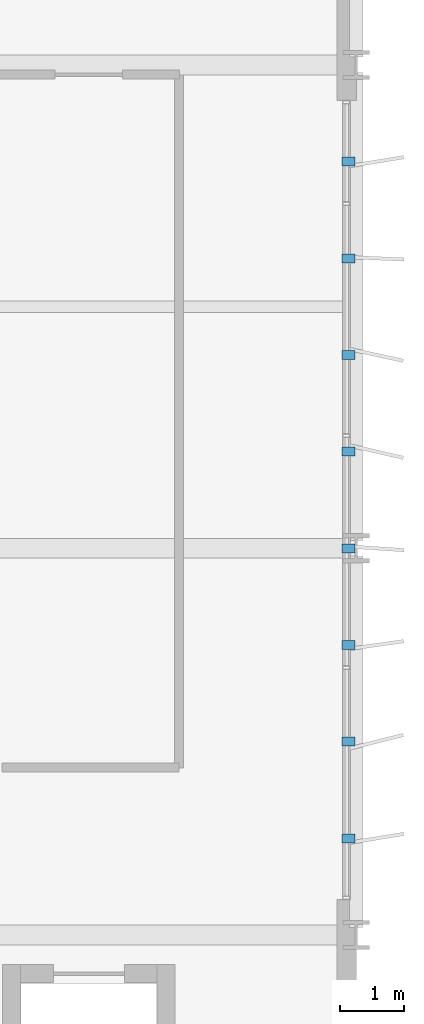
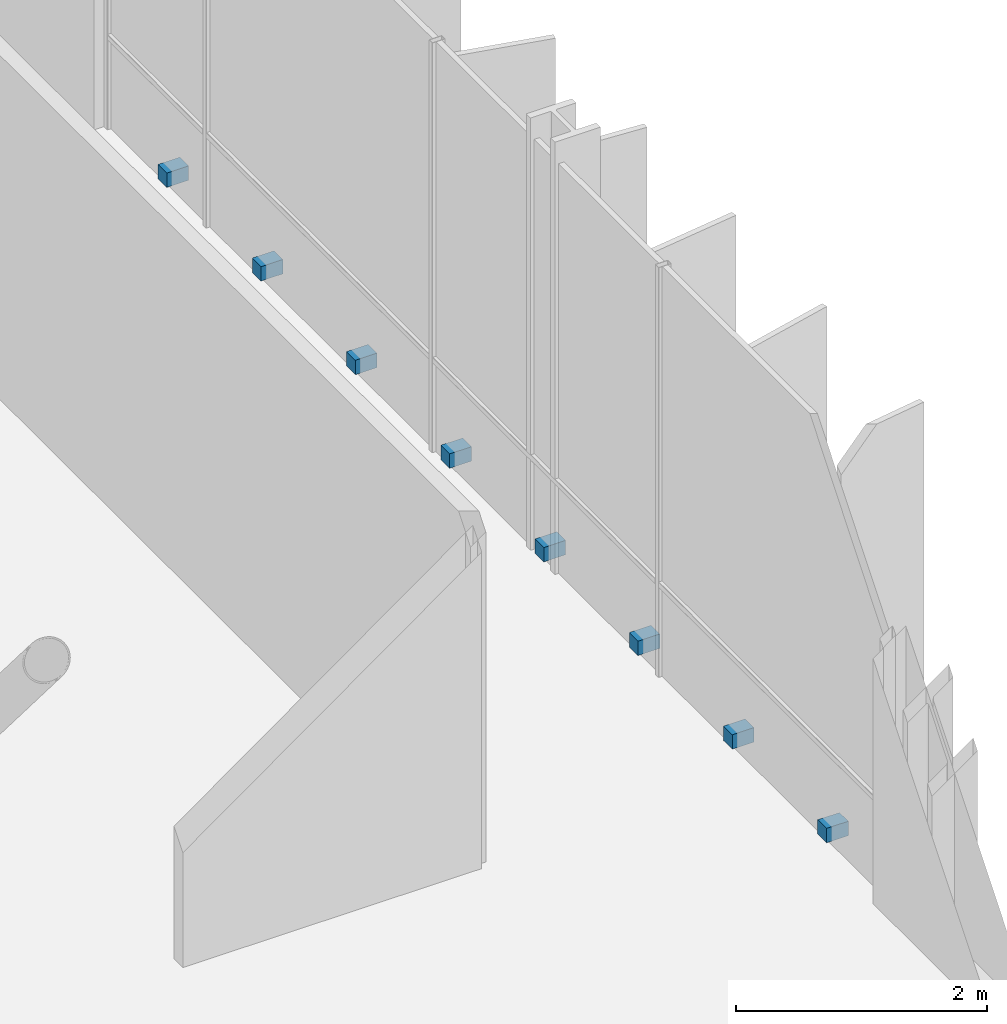
# One storey, part 29 of 32: 8 discrete accessories.
"""IFC4 building model written with IfcOpenShell, lengths in metres."""

import ifcopenshell
import ifcopenshell.guid

model = None  # the IFC model being written
_history = None  # IfcOwnerHistory: only IFC2X3 demands one
_inside = {}  # id of a spatial element -> (the spatial element, [elements in it])
_under = {}  # id of a project, library or spatial element -> (it, [spatial elements below it])
_declared = {}  # id of a project -> (the project, [libraries it declares])
_typed = {}  # id of a type object -> (the type object, [elements of that type])
_made_of = {}  # id of a material, layer set ... -> (it, [elements and type objects made of it])


def new_model(schema):
    """Start an empty IFC model of exactly this schema.

    Asked for "IFC4X3", IfcOpenShell would pick the latest addendum, in which some entities
    have other attributes; the version numbers below select the first issue.
    IFC2X3 requires an IfcOwnerHistory on every rooted entity: one is made here for all.
    """
    global model, _history
    if schema == "IFC4X3":
        model = ifcopenshell.file(schema_version=(4, 3, 0, 0))
    else:
        model = ifcopenshell.file(schema=schema)
    _inside.clear()
    _under.clear()
    _declared.clear()
    _typed.clear()
    _made_of.clear()
    _history = None
    if model.schema == "IFC2X3":
        org = make("IfcOrganization", Name="unknown")
        user = make(
            "IfcPersonAndOrganization",
            ThePerson=make("IfcPerson", FamilyName="unknown"),
            TheOrganization=org,
        )
        app = make(
            "IfcApplication",
            ApplicationDeveloper=org,
            Version="unknown",
            ApplicationFullName="unknown",
            ApplicationIdentifier="unknown",
        )
        _history = make(
            "IfcOwnerHistory",
            OwningUser=user,
            OwningApplication=app,
            ChangeAction="ADDED",
            CreationDate=0,
        )
    return model


def make(cls, **values):
    """One entity of the class cls with the attributes given. An attribute that is None is left unset."""
    return model.create_entity(
        cls, **{name: value for name, value in values.items() if value is not None}
    )


def rooted(cls, **values):
    """An entity with a GlobalId (a new one), such as an element, a storey or a relation."""
    return make(cls, GlobalId=ifcopenshell.guid.new(), OwnerHistory=_history, **values)


def si_unit(unit_type, name, prefix=None):
    """IfcSIUnit, for example si_unit("LENGTHUNIT", "METRE", prefix="MILLI")."""
    return make("IfcSIUnit", UnitType=unit_type, Prefix=prefix, Name=name)


def assignment(units):
    """IfcUnitAssignment: the units of a project."""
    return None if units is None else make("IfcUnitAssignment", Units=units)


def point(xyz):
    """IfcCartesianPoint."""
    return None if xyz is None else make("IfcCartesianPoint", Coordinates=xyz)


def direction(xyz):
    """IfcDirection."""
    return None if xyz is None else make("IfcDirection", DirectionRatios=xyz)


def frame(location, z_axis=None, x_axis=None):
    """IfcAxis2Placement3D, a coordinate frame: its origin and axes. An axis left out is left unset."""
    return make(
        "IfcAxis2Placement3D",
        Location=point(location),
        Axis=direction(z_axis),
        RefDirection=direction(x_axis),
    )


def frame_2d(location, x_axis=None):
    """IfcAxis2Placement2D, a coordinate frame in the plane: its origin and x axis."""
    return make(
        "IfcAxis2Placement2D", Location=point(location), RefDirection=direction(x_axis)
    )


def origin():
    """The frame at (0, 0, 0) with its axes left unset."""
    return frame((0.0, 0.0, 0.0))


def origin_2d():
    """The frame at (0, 0) in the plane with its x axis left unset."""
    return frame_2d((0.0, 0.0))


def place(relative_to, where):
    """IfcLocalPlacement: puts the frame where relative to a parent placement (None: the world)."""
    return make(
        "IfcLocalPlacement", PlacementRelTo=relative_to, RelativePlacement=where
    )


def context(
    kind, dimensions, precision=None, world=None, true_north=None, identifier=None
):
    """IfcGeometricRepresentationContext, for example the 3D "Model" context."""
    return make(
        "IfcGeometricRepresentationContext",
        ContextIdentifier=identifier,
        ContextType=kind,
        CoordinateSpaceDimension=dimensions,
        Precision=precision,
        WorldCoordinateSystem=world,
        TrueNorth=true_north,
    )


def subcontext(parent, identifier, kind, view, scale=None):
    """IfcGeometricRepresentationSubContext, for example "Body" below "Model"."""
    return make(
        "IfcGeometricRepresentationSubContext",
        ContextIdentifier=identifier,
        ContextType=kind,
        ParentContext=parent,
        TargetScale=scale,
        TargetView=view,
    )


def project(units=None, contexts=None):
    """IfcProject with its units and contexts."""
    return rooted(
        "IfcProject",
        Name="project",
        RepresentationContexts=contexts,
        UnitsInContext=assignment(units),
    )


def spatial(cls, under=None, at=None, **own):
    """A site, building, storey or space (cls), placed at a placement, below another one or the project."""
    s = rooted(cls, ObjectPlacement=at, **own)
    if under is not None:
        _under.setdefault(under.id(), (under, []))[1].append(s)
    return s


def profile(cls, at=None, kind="AREA", **sizes):
    """A parametric profile (cls). Its sizes go by their IFC names, for example OverallWidth=200.0."""
    return make(cls, ProfileType=kind, Position=at, **sizes)


def rectangle(**sizes):
    """IfcRectangleProfileDef."""
    return profile("IfcRectangleProfileDef", **sizes)


def extrude(swept, where, along, depth):
    """IfcExtrudedAreaSolid: the profile swept, set in the frame where, extruded along a direction by depth."""
    return make(
        "IfcExtrudedAreaSolid",
        SweptArea=swept,
        Position=where,
        ExtrudedDirection=direction(along),
        Depth=depth,
    )


def shape(context_of_items, identifier, shape_type, items):
    """IfcShapeRepresentation: the items that make up one representation, for example the "Body"."""
    return make(
        "IfcShapeRepresentation",
        ContextOfItems=context_of_items,
        RepresentationIdentifier=identifier,
        RepresentationType=shape_type,
        Items=items,
    )


def material(Name=None, Category=None):
    """IfcMaterial."""
    return make("IfcMaterial", Name=Name, Category=Category)


def made_of(thing, what):
    """Note that an element or type object is made of a material, layer set ...; save() writes the relation."""
    if what is not None:
        _made_of.setdefault(what.id(), (what, []))[1].append(thing)
    return thing


def type_object(cls, material=None, **own):
    """A type object (cls), such as IfcWallType, which elements share."""
    return made_of(rooted(cls, **own), material)


def element(
    cls,
    number,
    at=None,
    inside=None,
    cuts=None,
    type_object=None,
    material=None,
    context=None,
    identifier="Body",
    shape_type=None,
    held_by="IfcProductDefinitionShape",
    body=None,
    shapes=None,
    **own,
):
    """One element of the class cls, such as IfcWall. Its Tag is "e" and its number.

    at: its placement. inside: the storey or other place that contains it. cuts: it is an
    opening in that element (IfcRelVoidsElement). A single representation is given by context,
    identifier, shape_type and body (its items); several are given by shapes. held_by: the class
    of the entity that holds the representations. save() writes the other relations.
    """
    e = rooted(cls, Tag="e%d" % number, ObjectPlacement=at, **own)
    if body is not None:
        shapes = [shape(context, identifier, shape_type, body)]
    if shapes is not None:
        e.Representation = make(held_by, Representations=shapes)
    if inside is not None:
        _inside.setdefault(inside.id(), (inside, []))[1].append(e)
    if cuts is not None:
        rooted(
            "IfcRelVoidsElement", RelatingBuildingElement=cuts, RelatedOpeningElement=e
        )
    if type_object is not None:
        _typed.setdefault(type_object.id(), (type_object, []))[1].append(e)
    return made_of(e, material)


def aggregate(whole, parts):
    """IfcRelAggregates: a whole, such as a stair, and the parts it consists of."""
    return rooted("IfcRelAggregates", RelatingObject=whole, RelatedObjects=parts)


def save(model, path):
    """Write the relations noted so far, then the file.

    IfcRelAggregates (storeys below a building ...), IfcRelContainedInSpatialStructure (elements
    in a storey), IfcRelDefinesByType, IfcRelAssociatesMaterial and IfcRelDeclares: one each for
    every whole, place, type object, material and project.
    """
    for whole, parts in _under.values():
        aggregate(whole, parts)
    for where, things in _inside.values():
        rooted(
            "IfcRelContainedInSpatialStructure",
            RelatedElements=things,
            RelatingStructure=where,
        )
    for kind, things in _typed.values():
        rooted("IfcRelDefinesByType", RelatedObjects=things, RelatingType=kind)
    for what, things in _made_of.values():
        rooted("IfcRelAssociatesMaterial", RelatedObjects=things, RelatingMaterial=what)
    for by, libraries in _declared.values():
        rooted("IfcRelDeclares", RelatingContext=by, RelatedDefinitions=libraries)
    model.write(path)


model = new_model("IFC4")

# Units and contexts
model_context = context("Model", 3, precision=1e-05, world=origin(), true_north=direction((0.0, 1.0)))
body_context = subcontext(model_context, "Body", "Model", "MODEL_VIEW")
ifc_project = project(units=[si_unit("LENGTHUNIT", "METRE"), si_unit("AREAUNIT", "SQUARE_METRE"), si_unit("VOLUMEUNIT", "CUBIC_METRE"), si_unit("PLANEANGLEUNIT", "RADIAN"), si_unit("MASSUNIT", "GRAM", prefix="KILO")], contexts=[model_context])

# Site, building, storey
site_placement = place(None, origin())
site = spatial("IfcSite", under=ifc_project, at=site_placement, CompositionType="ELEMENT")
building_placement = place(site_placement, origin())
building = spatial("IfcBuilding", under=site, at=building_placement, Name="Brevholm Reach", CompositionType="ELEMENT")
storey_placement = place(building_placement, frame((0.0, 0.0, 96.199951171875)))
storey = spatial("IfcBuildingStorey", under=building, at=storey_placement, Name="L28", CompositionType="ELEMENT", Elevation=96.199951171875)

# Discrete accessories
ifc_material = material(Name="Duplex Stainless Steel EN 1.4462", Category="steel")
discrete_accessory_type = type_object("IfcDiscreteAccessoryType", Name="ACC-BRK-01", PredefinedType="BRACKET", material=ifc_material)
for number, where, z_axis, x_axis, name in (
    (1, (59.8798828125, 11.5, 0.0302734375), (0.0, 0.0, 1.0), (1.0, 0.0, 0.0), "L28 Solar Screen Support Bracket 1"),
    (2, (59.8798828125, 13.0, 0.0302734375), (0.0, 0.0, 1.0), (1.0, 0.0, 0.0), "L28 Solar Screen Support Bracket 2"),
    (3, (59.8798828125, 14.5, 0.0302734375), (0.0, 0.0, 1.0), (1.0, 0.0, 0.0), "L28 Solar Screen Support Bracket 3"),
    (4, (59.8798828125, 16.0, 0.0302734375), (0.0, 0.0, 1.0), (1.0, 0.0, 0.0), "L28 Solar Screen Support Bracket 4"),
    (5, (59.8798828125, 17.5, 0.0302734375), (0.0, 0.0, 1.0), (1.0, 0.0, 0.0), "L28 Solar Screen Support Bracket 5"),
    (6, (59.8798828125, 19.0, 0.0302734375), (0.0, 0.0, 1.0), (1.0, 0.0, 0.0), "L28 Solar Screen Support Bracket 6"),
    (7, (59.8798828125, 20.5, 0.0302734375), (0.0, 0.0, 1.0), (1.0, 0.0, 0.0), "L28 Solar Screen Support Bracket 7"),
    (8, (59.8798828125, 22.0, 0.0302734375), (0.0, 0.0, 1.0), (1.0, 0.0, 0.0), "L28 Solar Screen Support Bracket 8"),
):
    element("IfcDiscreteAccessory", number, at=place(storey_placement, frame(where, z_axis=z_axis, x_axis=x_axis)), inside=storey, type_object=discrete_accessory_type, Name=name, PredefinedType="BRACKET", context=body_context, shape_type="SweptSolid", body=[
        extrude(rectangle(XDim=0.199951171875, YDim=0.139892578125, at=origin_2d()), origin(), (0.0, 0.0, 1.0), 0.139892578125),
    ])

save(model, "model.ifc")
